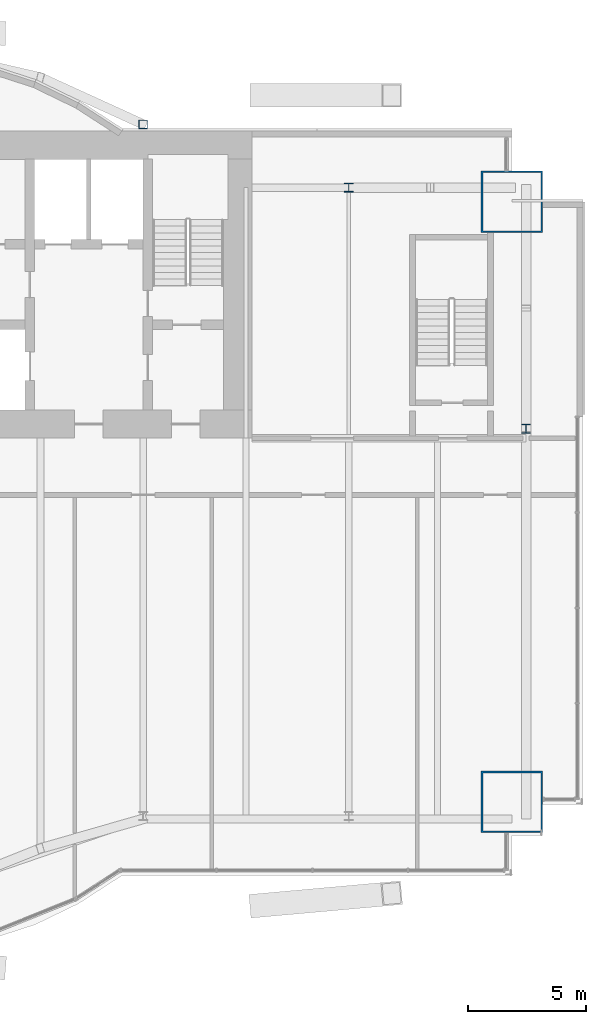
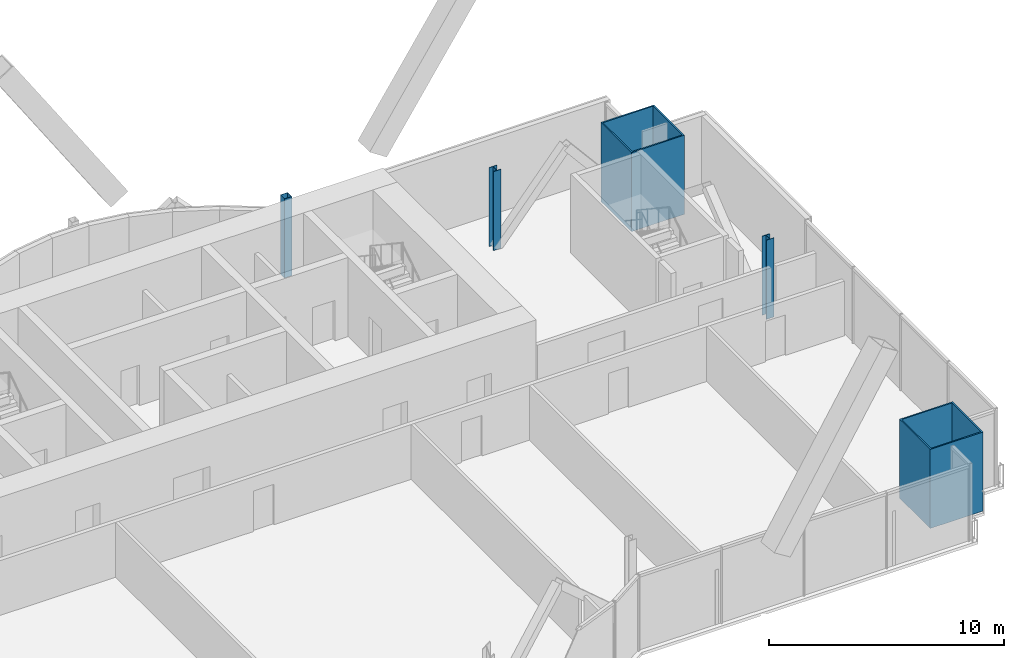
# One storey, part 4 of 20: 5 columns.
"""IFC4 building model written with IfcOpenShell, lengths in metres."""

from ifc_helpers import new_model, si_unit, direction, frame, origin, origin_2d, place, context, subcontext, project, spatial, hollow_rectangle, i_section, extrude, material, material_profile, profile_set, type_object, element, save


model = new_model("IFC4")

# Units and contexts
model_context = context("Model", 3, precision=1e-05, world=origin(), true_north=direction((0.0, 1.0)))
body_context = subcontext(model_context, "Body", "Model", "MODEL_VIEW")
ifc_project = project(units=[si_unit("LENGTHUNIT", "METRE"), si_unit("AREAUNIT", "SQUARE_METRE"), si_unit("VOLUMEUNIT", "CUBIC_METRE"), si_unit("PLANEANGLEUNIT", "RADIAN"), si_unit("MASSUNIT", "GRAM", prefix="KILO")], contexts=[model_context])

# Site, building, storey
site_placement = place(None, origin())
site = spatial("IfcSite", under=ifc_project, at=site_placement, CompositionType="ELEMENT")
building_placement = place(site_placement, origin())
building = spatial("IfcBuilding", under=site, at=building_placement, Name="Bicima Exchange Tower", CompositionType="ELEMENT")
storey_placement = place(building_placement, frame((0.0, 0.0, 219.60009765625)))
storey = spatial("IfcBuildingStorey", under=building, at=storey_placement, Name="L49", CompositionType="ELEMENT", Elevation=219.60009765625)

# Columns
ifc_material_1 = material(Name="Steel ASTM A572 Gr 50", Category="steel")
ifc_material_profile_1 = material_profile(ifc_material_1, hollow_rectangle(XDim=2.60009765625, YDim=2.60009765625, WallThickness=0.070068359375, at=origin_2d()))
ifc_profile_set_1 = profile_set([ifc_material_profile_1], Name="Steel ASTM A572 Gr 50")
column_type_1 = type_object("IfcColumnType", Name="Mega column BOX 2600x2600x70", PredefinedType="COLUMN", material=ifc_profile_set_1)
for number, where, z_axis, x_axis, name in (
    (1, (33.0, -28.385986328125, 0.0), (0.0, 0.0, 1.0), (1.0, 0.0, 0.0), "Mega column mega+33.0f"),
    (2, (33.0, -3.0, 0.0), (0.0, 0.0, 1.0), (1.0, 0.0, 0.0), "Mega column mega+33.0r"),
):
    element("IfcColumn", number, at=place(storey_placement, frame(where, z_axis=z_axis, x_axis=x_axis)), inside=storey, type_object=column_type_1, Name=name, PredefinedType="COLUMN", context=body_context, shape_type="SweptSolid", body=[
        extrude(hollow_rectangle(XDim=2.60009765625, YDim=2.60009765625, WallThickness=0.070068359375, at=origin_2d()), origin(), (0.0, 0.0, 1.0), 4.099853515625),
    ])
ifc_material_2 = material(Name="Steel ASTM A992 Gr 50", Category="steel")
ifc_material_profile_2 = material_profile(ifc_material_2, i_section(OverallWidth=0.373291015625, OverallDepth=0.373291015625, WebThickness=0.016357421875, FlangeThickness=0.026123046875, at=origin_2d()))
ifc_profile_set_2 = profile_set([ifc_material_profile_2], Name="Steel ASTM A992 Gr 50")
column_type_2 = type_object("IfcColumnType", Name="Perimeter column W14x132", PredefinedType="COLUMN", material=ifc_profile_set_2)
for number, where, z_axis, x_axis, name in (
    (3, (26.10009765625, -2.39990234375, 0.0), (0.0, 0.0, 1.0), (1.0, 0.0, 0.0), "Perimeter column grav+26.1r"),
    (4, (33.60009765625, -12.60009765625, 0.0), (0.0, 0.0, 1.0), (1.0, 0.0, 0.0), "End column end+33.6e"),
):
    element("IfcColumn", number, at=place(storey_placement, frame(where, z_axis=z_axis, x_axis=x_axis)), inside=storey, type_object=column_type_2, Name=name, PredefinedType="COLUMN", context=body_context, shape_type="SweptSolid", body=[
        extrude(i_section(OverallWidth=0.373291015625, OverallDepth=0.373291015625, WebThickness=0.016357421875, FlangeThickness=0.026123046875, at=origin_2d()), origin(), (0.0, 0.0, 1.0), 4.099853515625),
    ])
ifc_material_profile_3 = material_profile(ifc_material_1, hollow_rectangle(XDim=0.355712890625, YDim=0.355712890625, WallThickness=0.01171875, at=origin_2d()))
ifc_profile_set_3 = profile_set([ifc_material_profile_3], Name="Steel ASTM A572 Gr 50")
column_type_3 = type_object("IfcColumnType", Name="Rear pilaster HSS14x14x1/2", PredefinedType="COLUMN", material=ifc_profile_set_3)
column_placement = place(storey_placement, frame((17.39990234375, 0.278076171875, 0.0), z_axis=(0.0, 0.0, 1.0), x_axis=(1.0, 0.0, 0.0)))
element("IfcColumn", 5, at=column_placement, inside=storey, type_object=column_type_3, Name="Rear pilaster rexo+17.4r", PredefinedType="COLUMN", context=body_context, shape_type="SweptSolid", body=[
    extrude(hollow_rectangle(XDim=0.355712890625, YDim=0.355712890625, WallThickness=0.01171875, at=origin_2d()), origin(), (0.0, 0.0, 1.0), 4.099853515625),
])

save(model, "model.ifc")
